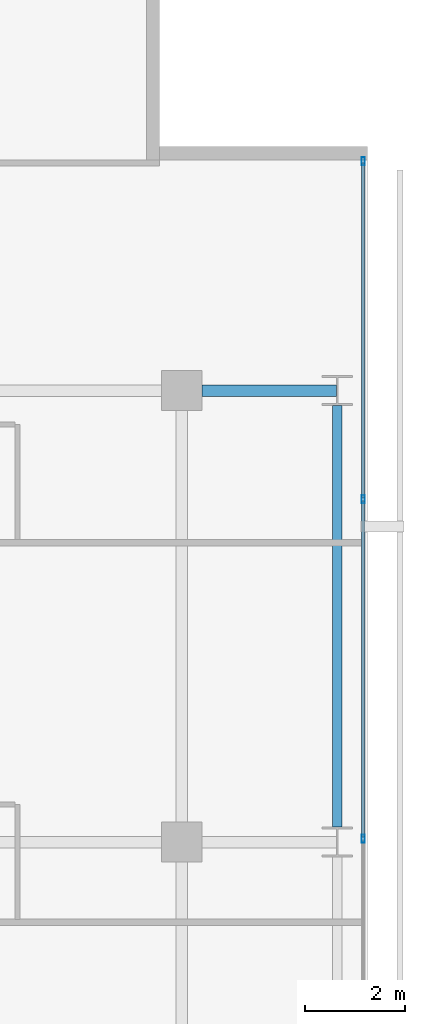
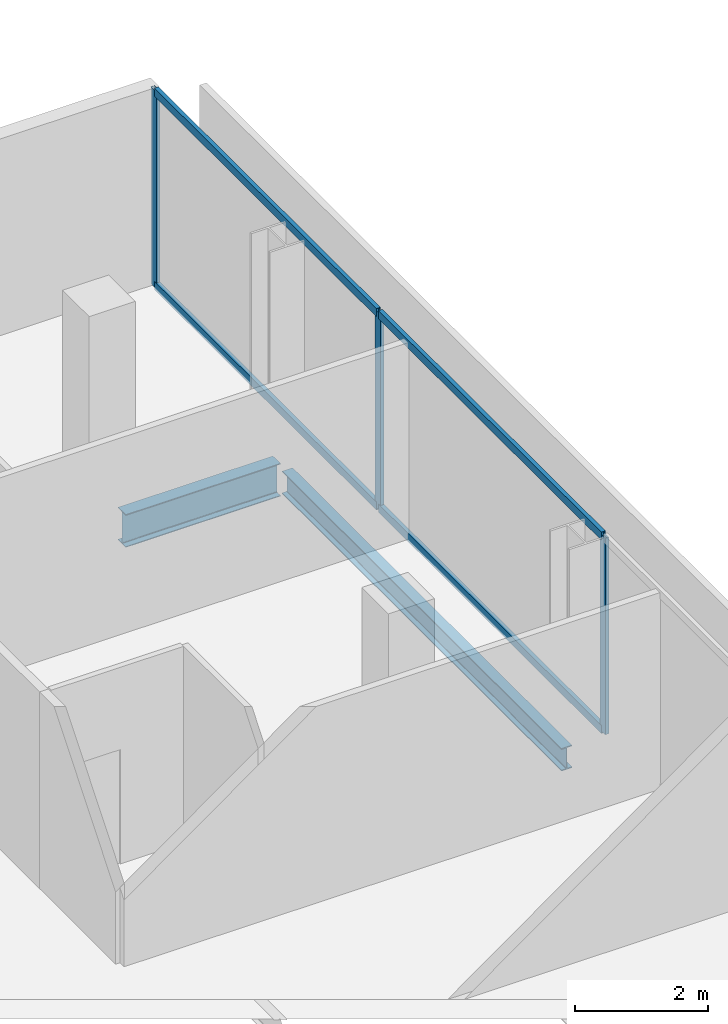
# One storey, part 24 of 34: 7 members, 2 beams, 1 element without a shape of its own.
"""IFC4 building model written with IfcOpenShell, lengths in metres."""

import ifcopenshell
import ifcopenshell.guid

model = None  # the IFC model being written
_history = None  # IfcOwnerHistory: only IFC2X3 demands one
_inside = {}  # id of a spatial element -> (the spatial element, [elements in it])
_under = {}  # id of a project, library or spatial element -> (it, [spatial elements below it])
_declared = {}  # id of a project -> (the project, [libraries it declares])
_typed = {}  # id of a type object -> (the type object, [elements of that type])
_made_of = {}  # id of a material, layer set ... -> (it, [elements and type objects made of it])


def new_model(schema):
    """Start an empty IFC model of exactly this schema.

    Asked for "IFC4X3", IfcOpenShell would pick the latest addendum, in which some entities
    have other attributes; the version numbers below select the first issue.
    IFC2X3 requires an IfcOwnerHistory on every rooted entity: one is made here for all.
    """
    global model, _history
    if schema == "IFC4X3":
        model = ifcopenshell.file(schema_version=(4, 3, 0, 0))
    else:
        model = ifcopenshell.file(schema=schema)
    _inside.clear()
    _under.clear()
    _declared.clear()
    _typed.clear()
    _made_of.clear()
    _history = None
    if model.schema == "IFC2X3":
        org = make("IfcOrganization", Name="unknown")
        user = make(
            "IfcPersonAndOrganization",
            ThePerson=make("IfcPerson", FamilyName="unknown"),
            TheOrganization=org,
        )
        app = make(
            "IfcApplication",
            ApplicationDeveloper=org,
            Version="unknown",
            ApplicationFullName="unknown",
            ApplicationIdentifier="unknown",
        )
        _history = make(
            "IfcOwnerHistory",
            OwningUser=user,
            OwningApplication=app,
            ChangeAction="ADDED",
            CreationDate=0,
        )
    return model


def make(cls, **values):
    """One entity of the class cls with the attributes given. An attribute that is None is left unset."""
    return model.create_entity(
        cls, **{name: value for name, value in values.items() if value is not None}
    )


def rooted(cls, **values):
    """An entity with a GlobalId (a new one), such as an element, a storey or a relation."""
    return make(cls, GlobalId=ifcopenshell.guid.new(), OwnerHistory=_history, **values)


def si_unit(unit_type, name, prefix=None):
    """IfcSIUnit, for example si_unit("LENGTHUNIT", "METRE", prefix="MILLI")."""
    return make("IfcSIUnit", UnitType=unit_type, Prefix=prefix, Name=name)


def assignment(units):
    """IfcUnitAssignment: the units of a project."""
    return None if units is None else make("IfcUnitAssignment", Units=units)


def point(xyz):
    """IfcCartesianPoint."""
    return None if xyz is None else make("IfcCartesianPoint", Coordinates=xyz)


def direction(xyz):
    """IfcDirection."""
    return None if xyz is None else make("IfcDirection", DirectionRatios=xyz)


def frame(location, z_axis=None, x_axis=None):
    """IfcAxis2Placement3D, a coordinate frame: its origin and axes. An axis left out is left unset."""
    return make(
        "IfcAxis2Placement3D",
        Location=point(location),
        Axis=direction(z_axis),
        RefDirection=direction(x_axis),
    )


def frame_2d(location, x_axis=None):
    """IfcAxis2Placement2D, a coordinate frame in the plane: its origin and x axis."""
    return make(
        "IfcAxis2Placement2D", Location=point(location), RefDirection=direction(x_axis)
    )


def origin():
    """The frame at (0, 0, 0) with its axes left unset."""
    return frame((0.0, 0.0, 0.0))


def origin_2d():
    """The frame at (0, 0) in the plane with its x axis left unset."""
    return frame_2d((0.0, 0.0))


def place(relative_to, where):
    """IfcLocalPlacement: puts the frame where relative to a parent placement (None: the world)."""
    return make(
        "IfcLocalPlacement", PlacementRelTo=relative_to, RelativePlacement=where
    )


def context(
    kind, dimensions, precision=None, world=None, true_north=None, identifier=None
):
    """IfcGeometricRepresentationContext, for example the 3D "Model" context."""
    return make(
        "IfcGeometricRepresentationContext",
        ContextIdentifier=identifier,
        ContextType=kind,
        CoordinateSpaceDimension=dimensions,
        Precision=precision,
        WorldCoordinateSystem=world,
        TrueNorth=true_north,
    )


def subcontext(parent, identifier, kind, view, scale=None):
    """IfcGeometricRepresentationSubContext, for example "Body" below "Model"."""
    return make(
        "IfcGeometricRepresentationSubContext",
        ContextIdentifier=identifier,
        ContextType=kind,
        ParentContext=parent,
        TargetScale=scale,
        TargetView=view,
    )


def project(units=None, contexts=None):
    """IfcProject with its units and contexts."""
    return rooted(
        "IfcProject",
        Name="project",
        RepresentationContexts=contexts,
        UnitsInContext=assignment(units),
    )


def spatial(cls, under=None, at=None, **own):
    """A site, building, storey or space (cls), placed at a placement, below another one or the project."""
    s = rooted(cls, ObjectPlacement=at, **own)
    if under is not None:
        _under.setdefault(under.id(), (under, []))[1].append(s)
    return s


def profile(cls, at=None, kind="AREA", **sizes):
    """A parametric profile (cls). Its sizes go by their IFC names, for example OverallWidth=200.0."""
    return make(cls, ProfileType=kind, Position=at, **sizes)


def hollow_rectangle(**sizes):
    """IfcRectangleHollowProfileDef."""
    return profile("IfcRectangleHollowProfileDef", **sizes)


def i_section(**sizes):
    """IfcIShapeProfileDef."""
    return profile("IfcIShapeProfileDef", **sizes)


def extrude(swept, where, along, depth):
    """IfcExtrudedAreaSolid: the profile swept, set in the frame where, extruded along a direction by depth."""
    return make(
        "IfcExtrudedAreaSolid",
        SweptArea=swept,
        Position=where,
        ExtrudedDirection=direction(along),
        Depth=depth,
    )


def shape(context_of_items, identifier, shape_type, items):
    """IfcShapeRepresentation: the items that make up one representation, for example the "Body"."""
    return make(
        "IfcShapeRepresentation",
        ContextOfItems=context_of_items,
        RepresentationIdentifier=identifier,
        RepresentationType=shape_type,
        Items=items,
    )


def material(Name=None, Category=None):
    """IfcMaterial."""
    return make("IfcMaterial", Name=Name, Category=Category)


def layer(
    of_material, thickness, ventilated=None, Name=None, Category=None, Priority=None
):
    """IfcMaterialLayer: one layer of a wall or slab, of a material (None: an air gap)."""
    return make(
        "IfcMaterialLayer",
        Material=of_material,
        LayerThickness=thickness,
        IsVentilated=ventilated,
        Name=Name,
        Category=Category,
        Priority=Priority,
    )


def layer_set(layers, Name=None):
    """IfcMaterialLayerSet."""
    return make("IfcMaterialLayerSet", MaterialLayers=layers, LayerSetName=Name)


def material_profile(
    of_material, cross_section, Name=None, Category=None, Priority=None
):
    """IfcMaterialProfile: a cross section and its material."""
    return make(
        "IfcMaterialProfile",
        Name=Name,
        Material=of_material,
        Profile=cross_section,
        Priority=Priority,
        Category=Category,
    )


def profile_set(profiles, Name=None, composite=None):
    """IfcMaterialProfileSet."""
    return make(
        "IfcMaterialProfileSet",
        Name=Name,
        MaterialProfiles=profiles,
        CompositeProfile=composite,
    )


def made_of(thing, what):
    """Note that an element or type object is made of a material, layer set ...; save() writes the relation."""
    if what is not None:
        _made_of.setdefault(what.id(), (what, []))[1].append(thing)
    return thing


def type_object(cls, material=None, **own):
    """A type object (cls), such as IfcWallType, which elements share."""
    return made_of(rooted(cls, **own), material)


def element(
    cls,
    number,
    at=None,
    inside=None,
    cuts=None,
    type_object=None,
    material=None,
    context=None,
    identifier="Body",
    shape_type=None,
    held_by="IfcProductDefinitionShape",
    body=None,
    shapes=None,
    **own,
):
    """One element of the class cls, such as IfcWall. Its Tag is "e" and its number.

    at: its placement. inside: the storey or other place that contains it. cuts: it is an
    opening in that element (IfcRelVoidsElement). A single representation is given by context,
    identifier, shape_type and body (its items); several are given by shapes. held_by: the class
    of the entity that holds the representations. save() writes the other relations.
    """
    e = rooted(cls, Tag="e%d" % number, ObjectPlacement=at, **own)
    if body is not None:
        shapes = [shape(context, identifier, shape_type, body)]
    if shapes is not None:
        e.Representation = make(held_by, Representations=shapes)
    if inside is not None:
        _inside.setdefault(inside.id(), (inside, []))[1].append(e)
    if cuts is not None:
        rooted(
            "IfcRelVoidsElement", RelatingBuildingElement=cuts, RelatedOpeningElement=e
        )
    if type_object is not None:
        _typed.setdefault(type_object.id(), (type_object, []))[1].append(e)
    return made_of(e, material)


def aggregate(whole, parts):
    """IfcRelAggregates: a whole, such as a stair, and the parts it consists of."""
    return rooted("IfcRelAggregates", RelatingObject=whole, RelatedObjects=parts)


def save(model, path):
    """Write the relations noted so far, then the file.

    IfcRelAggregates (storeys below a building ...), IfcRelContainedInSpatialStructure (elements
    in a storey), IfcRelDefinesByType, IfcRelAssociatesMaterial and IfcRelDeclares: one each for
    every whole, place, type object, material and project.
    """
    for whole, parts in _under.values():
        aggregate(whole, parts)
    for where, things in _inside.values():
        rooted(
            "IfcRelContainedInSpatialStructure",
            RelatedElements=things,
            RelatingStructure=where,
        )
    for kind, things in _typed.values():
        rooted("IfcRelDefinesByType", RelatedObjects=things, RelatingType=kind)
    for what, things in _made_of.values():
        rooted("IfcRelAssociatesMaterial", RelatedObjects=things, RelatingMaterial=what)
    for by, libraries in _declared.values():
        rooted("IfcRelDeclares", RelatingContext=by, RelatedDefinitions=libraries)
    model.write(path)


model = new_model("IFC4")

# Units and contexts
model_context = context("Model", 3, precision=1e-05, world=origin(), true_north=direction((0.0, 1.0)))
body_context = subcontext(model_context, "Body", "Model", "MODEL_VIEW")
ifc_project = project(units=[si_unit("LENGTHUNIT", "METRE"), si_unit("AREAUNIT", "SQUARE_METRE"), si_unit("VOLUMEUNIT", "CUBIC_METRE"), si_unit("PLANEANGLEUNIT", "RADIAN"), si_unit("MASSUNIT", "GRAM", prefix="KILO")], contexts=[model_context])

# Site, building, storey
site_placement = place(None, origin())
site = spatial("IfcSite", under=ifc_project, at=site_placement, CompositionType="ELEMENT")
building_placement = place(site_placement, origin())
building = spatial("IfcBuilding", under=site, at=building_placement, Name="Maruvema Waterfront Hotel and Observation Tower", CompositionType="ELEMENT")
storey_placement = place(building_placement, frame((0.0, 0.0, 192.85009765625)))
storey = spatial("IfcBuildingStorey", under=building, at=storey_placement, Name="L47", CompositionType="ELEMENT", Elevation=192.85009765625)

# Curtain wall, members
ifc_material_1 = material(Name="Anodised bronze aluminium and solar-control low-E IGU", Category="aluminium")
ifc_layer = layer(ifc_material_1, 0.159912109375, Name="Zone 2 Amber Inner Thermal Curtain Wall System CW-03")
ifc_layer_set = layer_set([ifc_layer], Name="Anodised bronze aluminium and solar-control low-E IGU")
curtain_wall_type = type_object("IfcCurtainWallType", Name="Zone 2 Amber Inner Thermal Curtain Wall System CW-03", PredefinedType="USERDEFINED", material=ifc_layer_set)
curtain_wall_placement = place(storey_placement, origin())
curtain_wall = element("IfcCurtainWall", 1, at=curtain_wall_placement, inside=storey, type_object=curtain_wall_type, Name="L47 Curtain Wall CW-L47-E", ObjectType="UNITISED CURTAIN WALL", PredefinedType="USERDEFINED")
ifc_material_2 = material(Name="Anodised architectural bronze aluminium", Category="aluminium")
ifc_material_profile_1 = material_profile(ifc_material_2, hollow_rectangle(XDim=0.070068359375, YDim=0.14990234375, WallThickness=0.00390625, at=origin_2d()), Name="ALU-T70x150")
ifc_profile_set_1 = profile_set([ifc_material_profile_1], Name="Anodised architectural bronze aluminium")
member_type_1 = type_object("IfcMemberType", Name="Curtain Wall Horizontal Transom ALU-T70x150", PredefinedType="USERDEFINED", material=ifc_profile_set_1)
member_1_placement = place(storey_placement, frame((62.419921875, 36.0966796875, 0.02978515625), z_axis=(0.0, 1.0, 0.0), x_axis=(-1.0, 0.0, 0.0)))
member_1 = element("IfcMember", 2, at=member_1_placement, type_object=member_type_1, Name="CW-03 transom 5.1", ObjectType="TRANSOM", PredefinedType="USERDEFINED", context=body_context, shape_type="SweptSolid", body=[
    extrude(hollow_rectangle(XDim=0.070068359375, YDim=0.14990234375, WallThickness=0.00390625, at=origin_2d()), origin(), (0.0, 0.0, 1.0), 6.70654296875),
])
member_2_placement = place(storey_placement, frame((62.419921875, 36.0966796875, 3.579833984375), z_axis=(0.0, 1.0, 0.0), x_axis=(-1.0, 0.0, 0.0)))
member_2 = element("IfcMember", 3, at=member_2_placement, type_object=member_type_1, Name="CW-03 transom 5.2", ObjectType="TRANSOM", PredefinedType="USERDEFINED", context=body_context, shape_type="SweptSolid", body=[
    extrude(hollow_rectangle(XDim=0.070068359375, YDim=0.14990234375, WallThickness=0.00390625, at=origin_2d()), origin(), (0.0, 0.0, 1.0), 6.70654296875),
])
member_3_placement = place(storey_placement, frame((62.419921875, 42.86328125, 0.02978515625), z_axis=(0.0, 1.0, 0.0), x_axis=(-1.0, 0.0, 0.0)))
member_3 = element("IfcMember", 4, at=member_3_placement, type_object=member_type_1, Name="CW-03 transom 6.1", ObjectType="TRANSOM", PredefinedType="USERDEFINED", context=body_context, shape_type="SweptSolid", body=[
    extrude(hollow_rectangle(XDim=0.070068359375, YDim=0.14990234375, WallThickness=0.00390625, at=origin_2d()), origin(), (0.0, 0.0, 1.0), 6.6767578125),
])
member_4_placement = place(storey_placement, frame((62.419921875, 42.86328125, 3.579833984375), z_axis=(0.0, 1.0, 0.0), x_axis=(-1.0, 0.0, 0.0)))
member_4 = element("IfcMember", 5, at=member_4_placement, type_object=member_type_1, Name="CW-03 transom 6.2", ObjectType="TRANSOM", PredefinedType="USERDEFINED", context=body_context, shape_type="SweptSolid", body=[
    extrude(hollow_rectangle(XDim=0.070068359375, YDim=0.14990234375, WallThickness=0.00390625, at=origin_2d()), origin(), (0.0, 0.0, 1.0), 6.6767578125),
])
ifc_material_3 = material(Name="Anodised architectural bronze aluminium", Category="aluminium")
ifc_material_profile_2 = material_profile(ifc_material_3, hollow_rectangle(XDim=0.06494140625, YDim=0.1650390625, WallThickness=0.00390625, at=origin_2d()), Name="ALU-M65x165")
ifc_profile_set_2 = profile_set([ifc_material_profile_2], Name="Anodised architectural bronze aluminium")
member_type_2 = type_object("IfcMemberType", Name="Curtain Wall Primary Mullion ALU-M65x165", PredefinedType="MULLION", material=ifc_profile_set_2)
member_5_placement = place(storey_placement, frame((62.419921875, 36.066650390625, 0.0), z_axis=(0.0, 0.0, 1.0), x_axis=(-1.0, 0.0, 0.0)))
member_5 = element("IfcMember", 6, at=member_5_placement, type_object=member_type_2, Name="CW-03 mullion 5", PredefinedType="MULLION", context=body_context, shape_type="SweptSolid", body=[
    extrude(hollow_rectangle(XDim=0.06494140625, YDim=0.1650390625, WallThickness=0.00390625, at=origin_2d()), origin(), (0.0, 0.0, 1.0), 3.60986328125),
])
member_6_placement = place(storey_placement, frame((62.419921875, 42.833251953125, 0.0), z_axis=(0.0, 0.0, 1.0), x_axis=(-1.0, 0.0, 0.0)))
member_6 = element("IfcMember", 7, at=member_6_placement, type_object=member_type_2, Name="CW-03 mullion 6", PredefinedType="MULLION", context=body_context, shape_type="SweptSolid", body=[
    extrude(hollow_rectangle(XDim=0.06494140625, YDim=0.1650390625, WallThickness=0.00390625, at=origin_2d()), origin(), (0.0, 0.0, 1.0), 3.60986328125),
])
member_7_placement = place(storey_placement, frame((62.419921875, 49.570068359375, 0.0), z_axis=(0.0, 0.0, 1.0), x_axis=(-1.0, 0.0, 0.0)))
member_7 = element("IfcMember", 8, at=member_7_placement, type_object=member_type_2, Name="CW-03 mullion 7", PredefinedType="MULLION", context=body_context, shape_type="SweptSolid", body=[
    extrude(hollow_rectangle(XDim=0.06494140625, YDim=0.1650390625, WallThickness=0.00390625, at=origin_2d()), origin(), (0.0, 0.0, 1.0), 3.60986328125),
])
aggregate(curtain_wall, [member_5, member_6, member_7, member_1, member_2, member_3, member_4])

# Beams
ifc_material_4 = material(Name="Steel ASTM A572 Grade 50", Category="steel")
ifc_material_profile_3 = material_profile(ifc_material_4, i_section(OverallWidth=0.180908203125, OverallDepth=0.4169921875, WebThickness=0.010986328125, FlangeThickness=0.018310546875, FilletRadius=0.014892578125, at=origin_2d()), Name="W410x85.0")
ifc_profile_set_3 = profile_set([ifc_material_profile_3], Name="Steel ASTM A572 Grade 50")
beam_type_1 = type_object("IfcBeamType", Name="Perimeter Spandrel Beam W410x85.0", PredefinedType="SPANDREL", material=ifc_profile_set_3)
beam_1_placement = place(storey_placement, frame((61.89990234375, 36.300048828125, -0.448486328125), z_axis=(0.0, 1.0, 0.0), x_axis=(-1.0, 0.0, 0.0)))
element("IfcBeam", 9, at=beam_1_placement, inside=storey, type_object=beam_type_1, Name="L47 Floor Girder NS-32", PredefinedType="SPANDREL", context=body_context, shape_type="SweptSolid", body=[
    extrude(i_section(OverallWidth=0.180908203125, OverallDepth=0.4169921875, WebThickness=0.010986328125, FlangeThickness=0.018310546875, FilletRadius=0.014892578125, at=origin_2d()), origin(), (0.0, 0.0, 1.0), 8.39990234375),
])
ifc_material_5 = material(Name="Steel ASTM A572 Grade 50", Category="steel")
ifc_material_profile_4 = material_profile(ifc_material_5, i_section(OverallWidth=0.22802734375, OverallDepth=0.60302734375, WebThickness=0.010498046875, FlangeThickness=0.014892578125, FilletRadius=0.01806640625, at=origin_2d()), Name="W610x101.0")
ifc_profile_set_4 = profile_set([ifc_material_profile_4], Name="Steel ASTM A572 Grade 50")
beam_type_2 = type_object("IfcBeamType", Name="Primary Floor Girder W610x101.0", PredefinedType="BEAM", material=ifc_profile_set_4)
beam_2_placement = place(storey_placement, frame((59.199951171875, 45.0, -0.54150390625), z_axis=(1.0, 0.0, 0.0), x_axis=(0.0, 1.0, 0.0)))
element("IfcBeam", 10, at=beam_2_placement, inside=storey, type_object=beam_type_2, Name="L47 Floor Girder EW-33", PredefinedType="BEAM", context=body_context, shape_type="SweptSolid", body=[
    extrude(i_section(OverallWidth=0.22802734375, OverallDepth=0.60302734375, WebThickness=0.010498046875, FlangeThickness=0.014892578125, FilletRadius=0.01806640625, at=origin_2d()), origin(), (0.0, 0.0, 1.0), 2.6875),
])

save(model, "model.ifc")
